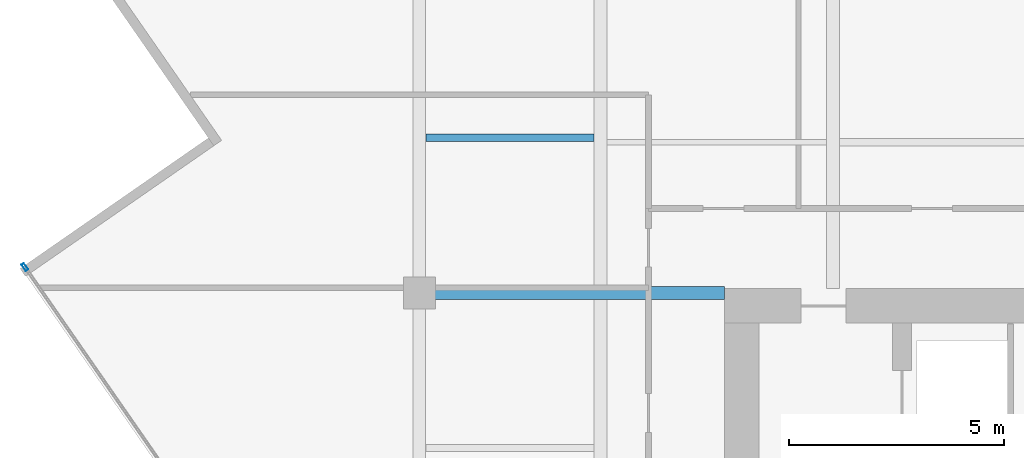
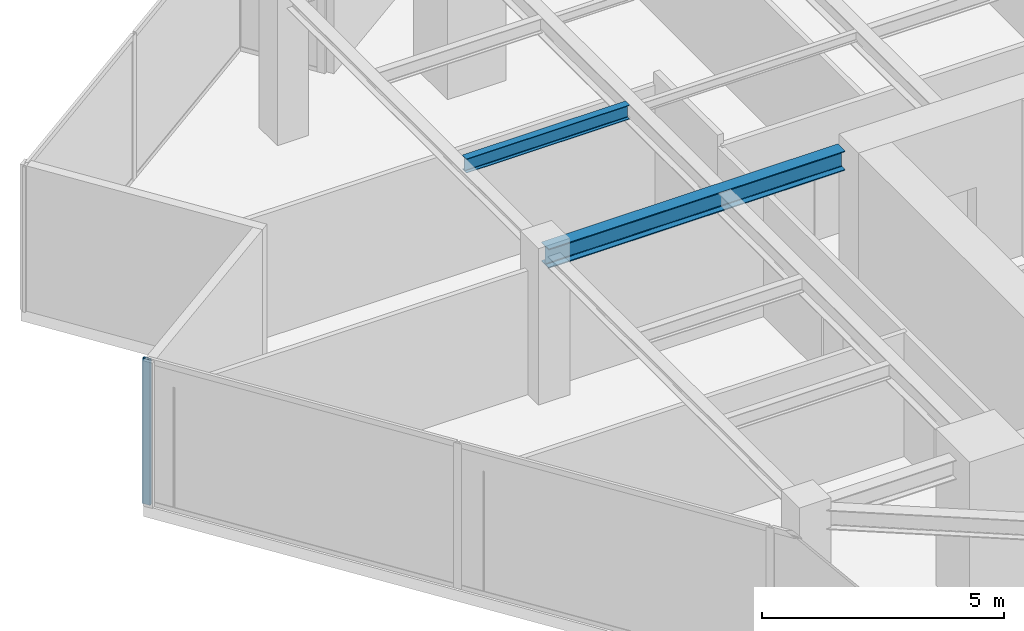
# One storey, part 6 of 21: 2 beams, 1 member, 1 element without a shape of its own.
"""IFC4 building model written with IfcOpenShell, lengths in metres."""

import ifcopenshell
import ifcopenshell.guid

model = None  # the IFC model being written
_history = None  # IfcOwnerHistory: only IFC2X3 demands one
_inside = {}  # id of a spatial element -> (the spatial element, [elements in it])
_under = {}  # id of a project, library or spatial element -> (it, [spatial elements below it])
_declared = {}  # id of a project -> (the project, [libraries it declares])
_typed = {}  # id of a type object -> (the type object, [elements of that type])
_made_of = {}  # id of a material, layer set ... -> (it, [elements and type objects made of it])


def new_model(schema):
    """Start an empty IFC model of exactly this schema.

    Asked for "IFC4X3", IfcOpenShell would pick the latest addendum, in which some entities
    have other attributes; the version numbers below select the first issue.
    IFC2X3 requires an IfcOwnerHistory on every rooted entity: one is made here for all.
    """
    global model, _history
    if schema == "IFC4X3":
        model = ifcopenshell.file(schema_version=(4, 3, 0, 0))
    else:
        model = ifcopenshell.file(schema=schema)
    _inside.clear()
    _under.clear()
    _declared.clear()
    _typed.clear()
    _made_of.clear()
    _history = None
    if model.schema == "IFC2X3":
        org = make("IfcOrganization", Name="unknown")
        user = make(
            "IfcPersonAndOrganization",
            ThePerson=make("IfcPerson", FamilyName="unknown"),
            TheOrganization=org,
        )
        app = make(
            "IfcApplication",
            ApplicationDeveloper=org,
            Version="unknown",
            ApplicationFullName="unknown",
            ApplicationIdentifier="unknown",
        )
        _history = make(
            "IfcOwnerHistory",
            OwningUser=user,
            OwningApplication=app,
            ChangeAction="ADDED",
            CreationDate=0,
        )
    return model


def make(cls, **values):
    """One entity of the class cls with the attributes given. An attribute that is None is left unset."""
    return model.create_entity(
        cls, **{name: value for name, value in values.items() if value is not None}
    )


def rooted(cls, **values):
    """An entity with a GlobalId (a new one), such as an element, a storey or a relation."""
    return make(cls, GlobalId=ifcopenshell.guid.new(), OwnerHistory=_history, **values)


def si_unit(unit_type, name, prefix=None):
    """IfcSIUnit, for example si_unit("LENGTHUNIT", "METRE", prefix="MILLI")."""
    return make("IfcSIUnit", UnitType=unit_type, Prefix=prefix, Name=name)


def assignment(units):
    """IfcUnitAssignment: the units of a project."""
    return None if units is None else make("IfcUnitAssignment", Units=units)


def point(xyz):
    """IfcCartesianPoint."""
    return None if xyz is None else make("IfcCartesianPoint", Coordinates=xyz)


def direction(xyz):
    """IfcDirection."""
    return None if xyz is None else make("IfcDirection", DirectionRatios=xyz)


def frame(location, z_axis=None, x_axis=None):
    """IfcAxis2Placement3D, a coordinate frame: its origin and axes. An axis left out is left unset."""
    return make(
        "IfcAxis2Placement3D",
        Location=point(location),
        Axis=direction(z_axis),
        RefDirection=direction(x_axis),
    )


def frame_2d(location, x_axis=None):
    """IfcAxis2Placement2D, a coordinate frame in the plane: its origin and x axis."""
    return make(
        "IfcAxis2Placement2D", Location=point(location), RefDirection=direction(x_axis)
    )


def origin():
    """The frame at (0, 0, 0) with its axes left unset."""
    return frame((0.0, 0.0, 0.0))


def origin_2d():
    """The frame at (0, 0) in the plane with its x axis left unset."""
    return frame_2d((0.0, 0.0))


def place(relative_to, where):
    """IfcLocalPlacement: puts the frame where relative to a parent placement (None: the world)."""
    return make(
        "IfcLocalPlacement", PlacementRelTo=relative_to, RelativePlacement=where
    )


def context(
    kind, dimensions, precision=None, world=None, true_north=None, identifier=None
):
    """IfcGeometricRepresentationContext, for example the 3D "Model" context."""
    return make(
        "IfcGeometricRepresentationContext",
        ContextIdentifier=identifier,
        ContextType=kind,
        CoordinateSpaceDimension=dimensions,
        Precision=precision,
        WorldCoordinateSystem=world,
        TrueNorth=true_north,
    )


def subcontext(parent, identifier, kind, view, scale=None):
    """IfcGeometricRepresentationSubContext, for example "Body" below "Model"."""
    return make(
        "IfcGeometricRepresentationSubContext",
        ContextIdentifier=identifier,
        ContextType=kind,
        ParentContext=parent,
        TargetScale=scale,
        TargetView=view,
    )


def project(units=None, contexts=None):
    """IfcProject with its units and contexts."""
    return rooted(
        "IfcProject",
        Name="project",
        RepresentationContexts=contexts,
        UnitsInContext=assignment(units),
    )


def spatial(cls, under=None, at=None, **own):
    """A site, building, storey or space (cls), placed at a placement, below another one or the project."""
    s = rooted(cls, ObjectPlacement=at, **own)
    if under is not None:
        _under.setdefault(under.id(), (under, []))[1].append(s)
    return s


def profile(cls, at=None, kind="AREA", **sizes):
    """A parametric profile (cls). Its sizes go by their IFC names, for example OverallWidth=200.0."""
    return make(cls, ProfileType=kind, Position=at, **sizes)


def hollow_rectangle(**sizes):
    """IfcRectangleHollowProfileDef."""
    return profile("IfcRectangleHollowProfileDef", **sizes)


def i_section(**sizes):
    """IfcIShapeProfileDef."""
    return profile("IfcIShapeProfileDef", **sizes)


def extrude(swept, where, along, depth):
    """IfcExtrudedAreaSolid: the profile swept, set in the frame where, extruded along a direction by depth."""
    return make(
        "IfcExtrudedAreaSolid",
        SweptArea=swept,
        Position=where,
        ExtrudedDirection=direction(along),
        Depth=depth,
    )


def shape(context_of_items, identifier, shape_type, items):
    """IfcShapeRepresentation: the items that make up one representation, for example the "Body"."""
    return make(
        "IfcShapeRepresentation",
        ContextOfItems=context_of_items,
        RepresentationIdentifier=identifier,
        RepresentationType=shape_type,
        Items=items,
    )


def source(mapping_origin, context_of_items, identifier, shape_type, items):
    """IfcRepresentationMap: a shape defined once, which mapped items show again and again."""
    return make(
        "IfcRepresentationMap",
        MappingOrigin=mapping_origin,
        MappedRepresentation=shape(context_of_items, identifier, shape_type, items),
    )


def transform(
    local_origin,
    x_axis=None,
    y_axis=None,
    z_axis=None,
    scale=None,
    scale2=None,
    scale3=None,
    uniform=True,
):
    """IfcCartesianTransformationOperator3D, or its non-uniform kind. x_axis, y_axis, z_axis: its Axis1, 2, 3."""
    if uniform:
        return make(
            "IfcCartesianTransformationOperator3D",
            Axis1=direction(x_axis),
            Axis2=direction(y_axis),
            LocalOrigin=point(local_origin),
            Scale=scale,
            Axis3=direction(z_axis),
        )
    return make(
        "IfcCartesianTransformationOperator3DnonUniform",
        Axis1=direction(x_axis),
        Axis2=direction(y_axis),
        LocalOrigin=point(local_origin),
        Scale=scale,
        Axis3=direction(z_axis),
        Scale2=scale2,
        Scale3=scale3,
    )


def mapped(mapping_source, mapping_target):
    """IfcMappedItem: shows the shape of a source again, moved by a transform."""
    return make(
        "IfcMappedItem", MappingSource=mapping_source, MappingTarget=mapping_target
    )


def material(Name=None, Category=None):
    """IfcMaterial."""
    return make("IfcMaterial", Name=Name, Category=Category)


def material_profile(
    of_material, cross_section, Name=None, Category=None, Priority=None
):
    """IfcMaterialProfile: a cross section and its material."""
    return make(
        "IfcMaterialProfile",
        Name=Name,
        Material=of_material,
        Profile=cross_section,
        Priority=Priority,
        Category=Category,
    )


def profile_set(profiles, Name=None, composite=None):
    """IfcMaterialProfileSet."""
    return make(
        "IfcMaterialProfileSet",
        Name=Name,
        MaterialProfiles=profiles,
        CompositeProfile=composite,
    )


def made_of(thing, what):
    """Note that an element or type object is made of a material, layer set ...; save() writes the relation."""
    if what is not None:
        _made_of.setdefault(what.id(), (what, []))[1].append(thing)
    return thing


def type_object(cls, material=None, **own):
    """A type object (cls), such as IfcWallType, which elements share."""
    return made_of(rooted(cls, **own), material)


def type_shapes(of_type, sources):
    """Give a type object the sources (RepresentationMaps) that its elements show as mapped items."""
    of_type.RepresentationMaps = sources


def element(
    cls,
    number,
    at=None,
    inside=None,
    cuts=None,
    type_object=None,
    material=None,
    context=None,
    identifier="Body",
    shape_type=None,
    held_by="IfcProductDefinitionShape",
    body=None,
    shapes=None,
    **own,
):
    """One element of the class cls, such as IfcWall. Its Tag is "e" and its number.

    at: its placement. inside: the storey or other place that contains it. cuts: it is an
    opening in that element (IfcRelVoidsElement). A single representation is given by context,
    identifier, shape_type and body (its items); several are given by shapes. held_by: the class
    of the entity that holds the representations. save() writes the other relations.
    """
    e = rooted(cls, Tag="e%d" % number, ObjectPlacement=at, **own)
    if body is not None:
        shapes = [shape(context, identifier, shape_type, body)]
    if shapes is not None:
        e.Representation = make(held_by, Representations=shapes)
    if inside is not None:
        _inside.setdefault(inside.id(), (inside, []))[1].append(e)
    if cuts is not None:
        rooted(
            "IfcRelVoidsElement", RelatingBuildingElement=cuts, RelatedOpeningElement=e
        )
    if type_object is not None:
        _typed.setdefault(type_object.id(), (type_object, []))[1].append(e)
    return made_of(e, material)


def aggregate(whole, parts):
    """IfcRelAggregates: a whole, such as a stair, and the parts it consists of."""
    return rooted("IfcRelAggregates", RelatingObject=whole, RelatedObjects=parts)


def save(model, path):
    """Write the relations noted so far, then the file.

    IfcRelAggregates (storeys below a building ...), IfcRelContainedInSpatialStructure (elements
    in a storey), IfcRelDefinesByType, IfcRelAssociatesMaterial and IfcRelDeclares: one each for
    every whole, place, type object, material and project.
    """
    for whole, parts in _under.values():
        aggregate(whole, parts)
    for where, things in _inside.values():
        rooted(
            "IfcRelContainedInSpatialStructure",
            RelatedElements=things,
            RelatingStructure=where,
        )
    for kind, things in _typed.values():
        rooted("IfcRelDefinesByType", RelatedObjects=things, RelatingType=kind)
    for what, things in _made_of.values():
        rooted("IfcRelAssociatesMaterial", RelatedObjects=things, RelatingMaterial=what)
    for by, libraries in _declared.values():
        rooted("IfcRelDeclares", RelatingContext=by, RelatedDefinitions=libraries)
    model.write(path)


model = new_model("IFC4")

# Units and contexts
model_context = context("Model", 3, precision=1e-05, world=origin(), true_north=direction((0.0, 1.0)))
body_context = subcontext(model_context, "Body", "Model", "MODEL_VIEW")
ifc_project = project(units=[si_unit("LENGTHUNIT", "METRE"), si_unit("AREAUNIT", "SQUARE_METRE"), si_unit("VOLUMEUNIT", "CUBIC_METRE"), si_unit("PLANEANGLEUNIT", "RADIAN"), si_unit("MASSUNIT", "GRAM", prefix="KILO")], contexts=[model_context])

# Site, building, storey
site_placement = place(None, origin())
site = spatial("IfcSite", under=ifc_project, at=site_placement, CompositionType="ELEMENT")
building_placement = place(site_placement, origin())
building = spatial("IfcBuilding", under=site, at=building_placement, Name="Krantzveldt Concourse Tower", CompositionType="ELEMENT")
storey_placement = place(building_placement, frame((0.0, 0.0, 275.300048828125)))
storey = spatial("IfcBuildingStorey", under=building, at=storey_placement, Name="L67", CompositionType="ELEMENT", Elevation=275.300048828125)

# Beams
ifc_material_1 = material(Name="Steel S355JR", Category="steel")
ifc_material_profile_1 = material_profile(ifc_material_1, i_section(OverallWidth=0.300048828125, OverallDepth=0.489990234375, WebThickness=0.011962890625, FlangeThickness=0.02294921875, FilletRadius=0.027099609375, at=origin_2d()), Name="Steel S355JR", Category="steel")
ifc_profile_set_1 = profile_set([ifc_material_profile_1], Name="Steel S355JR - HEA 500")
beam_type_1 = type_object("IfcBeamType", Name="BM-B-HEA500", PredefinedType="BEAM", material=ifc_profile_set_1)
shared_shape_1 = source(origin(), body_context, "Body", "SweptSolid", [
    extrude(i_section(OverallWidth=0.300048828125, OverallDepth=0.489990234375, WebThickness=0.011962890625, FlangeThickness=0.02294921875, FilletRadius=0.027099609375, at=origin_2d()), origin(), (0.0, 0.0, 1.0), 7.080078125),
])
type_shapes(beam_type_1, [shared_shape_1])
beam_1_placement = place(storey_placement, frame((21.0, 26.699951171875, 3.425048828125), z_axis=(1.0, 0.0, 0.0), x_axis=(0.0, 1.0, 0.0)))
element("IfcBeam", 1, at=beam_1_placement, inside=storey, type_object=beam_type_1, Name="L67 Tower Girder BG-CW2", PredefinedType="BEAM", context=body_context, shape_type="MappedRepresentation", body=[
    mapped(shared_shape_1, transform((0.0, 0.0, 0.0), x_axis=(1.0, 0.0, 0.0), y_axis=(0.0, 1.0, 0.0), z_axis=(0.0, 0.0, 1.0), scale=1.0)),
])
ifc_material_profile_2 = material_profile(ifc_material_1, i_section(OverallWidth=0.169921875, OverallDepth=0.360107421875, WebThickness=0.008056640625, FlangeThickness=0.0126953125, FilletRadius=0.01806640625, at=origin_2d()), Name="Steel S355JR", Category="steel")
ifc_profile_set_2 = profile_set([ifc_material_profile_2], Name="Steel S355JR - IPE 360")
beam_type_2 = type_object("IfcBeamType", Name="BM-J-IPE360", PredefinedType="JOIST", material=ifc_profile_set_2)
shared_shape_2 = source(origin(), body_context, "Body", "SweptSolid", [
    extrude(i_section(OverallWidth=0.169921875, OverallDepth=0.360107421875, WebThickness=0.008056640625, FlangeThickness=0.0126953125, FilletRadius=0.01806640625, at=origin_2d()), origin(), (0.0, 0.0, 1.0), 3.900146484375),
])
type_shapes(beam_type_2, [shared_shape_2])
beam_2_placement = place(storey_placement, frame((21.14990234375, 30.300048828125, 3.489990234375), z_axis=(1.0, 0.0, 0.0), x_axis=(0.0, 1.0, 0.0)))
element("IfcBeam", 2, at=beam_2_placement, inside=storey, type_object=beam_type_2, Name="L67 Secondary Floor Joist JW-3", PredefinedType="JOIST", context=body_context, shape_type="MappedRepresentation", body=[
    mapped(shared_shape_2, transform((0.0, 0.0, 0.0), x_axis=(1.0, 0.0, 0.0), y_axis=(0.0, 1.0, 0.0), z_axis=(0.0, 0.0, 1.0), scale=1.0)),
])

# Curtain wall, member
ifc_material_2 = material(Name="Anodised aluminium 6063-T6", Category="aluminium")
curtain_wall_type = type_object("IfcCurtainWallType", Name="CW4", PredefinedType="USERDEFINED", material=ifc_material_2)
curtain_wall_placement = place(storey_placement, origin())
curtain_wall = element("IfcCurtainWall", 3, at=curtain_wall_placement, inside=storey, type_object=curtain_wall_type, Name="CW-L67-F08", ObjectType="UNITISED CURTAIN WALL", PredefinedType="USERDEFINED")
ifc_material_profile_3 = material_profile(ifc_material_2, hollow_rectangle(XDim=0.070068359375, YDim=0.179931640625, WallThickness=0.0048828125, at=origin_2d()), Name="Anodised aluminium 6063-T6", Category="aluminium")
ifc_profile_set_3 = profile_set([ifc_material_profile_3], Name="Anodised aluminium 6063-T6 - ALU-MULL 180x70x5")
member_type = type_object("IfcMemberType", Name="CW-MUL-180", PredefinedType="MULLION", material=ifc_profile_set_3)
shared_shape_3 = source(origin(), body_context, "Body", "SweptSolid", [
    extrude(hollow_rectangle(XDim=0.070068359375, YDim=0.179931640625, WallThickness=0.0048828125, at=origin_2d()), origin(), (0.0, 0.0, 1.0), 3.669921875),
])
type_shapes(member_type, [shared_shape_3])
member_placement = place(storey_placement, frame((11.838623046875, 27.300048828125, 0.0), z_axis=(0.0, 0.0, 1.0), x_axis=(0.821647031735, 0.569996627395, 0.0)))
member = element("IfcMember", 4, at=member_placement, type_object=member_type, Name="CW-Z56 mullion 1", PredefinedType="MULLION", context=body_context, shape_type="MappedRepresentation", body=[
    mapped(shared_shape_3, transform((0.0, 0.0, 0.0), x_axis=(1.0, 0.0, 0.0), y_axis=(0.0, 1.0, 0.0), z_axis=(0.0, 0.0, 1.0), scale=1.0)),
])
aggregate(curtain_wall, [member])

save(model, "model.ifc")
